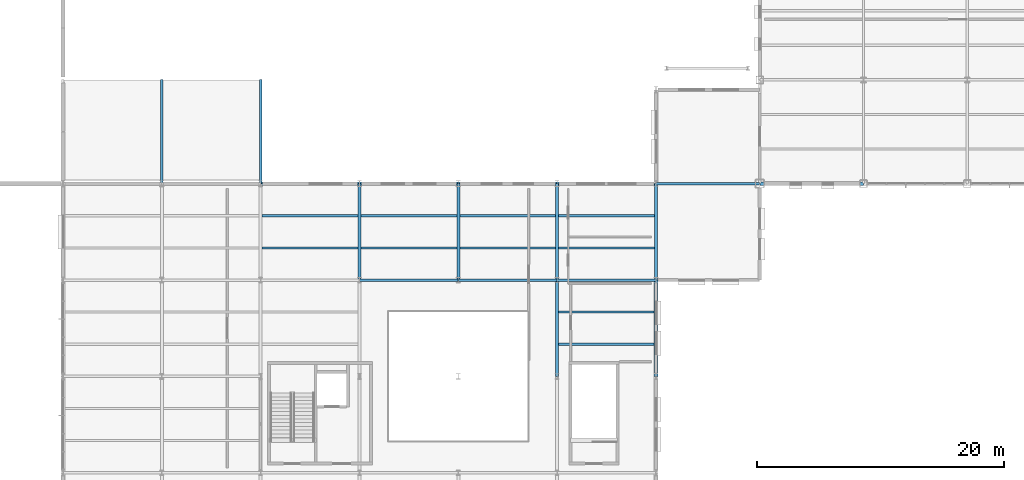
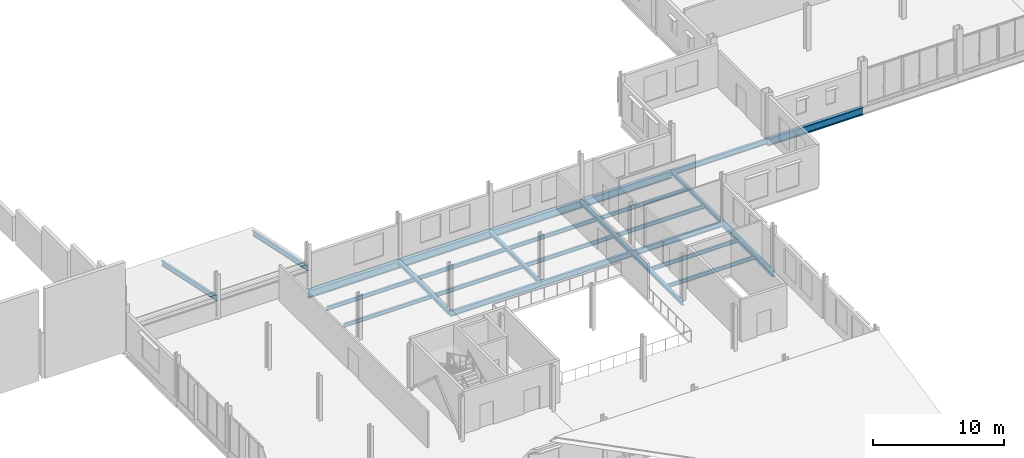
# One storey, part 15 of 45: 27 beams.
"""IFC4 building model written with IfcOpenShell, lengths in metres."""

from ifc_helpers import new_model, si_unit, direction, frame, origin, origin_2d, place, context, subcontext, project, spatial, i_section, extrude, material, material_profile, profile_set, type_object, element, save


model = new_model("IFC4")

# Units and contexts
model_context = context("Model", 3, precision=1e-05, world=origin(), true_north=direction((0.0, 1.0)))
body_context = subcontext(model_context, "Body", "Model", "MODEL_VIEW")
ifc_project = project(units=[si_unit("LENGTHUNIT", "METRE"), si_unit("AREAUNIT", "SQUARE_METRE"), si_unit("VOLUMEUNIT", "CUBIC_METRE"), si_unit("PLANEANGLEUNIT", "RADIAN"), si_unit("MASSUNIT", "GRAM", prefix="KILO")], contexts=[model_context])

# Site, building, storey
site_placement = place(None, origin())
site = spatial("IfcSite", under=ifc_project, at=site_placement, CompositionType="ELEMENT")
building_placement = place(site_placement, origin())
building = spatial("IfcBuilding", under=site, at=building_placement, Name="Yukiwa Park Conservatory and Herbarium", CompositionType="ELEMENT")
storey_placement = place(building_placement, frame((0.0, 0.0, 9.0)))
storey = spatial("IfcBuildingStorey", under=building, at=storey_placement, Name="L02", CompositionType="ELEMENT", Elevation=9.0)

# Beams
ifc_material_1 = material(Name="Steel Q355D", Category="steel")
ifc_material_profile_1 = material_profile(ifc_material_1, i_section(OverallWidth=0.25, OverallDepth=0.35009765625, WebThickness=0.009033203125, FlangeThickness=0.013916015625, FilletRadius=0.02001953125, at=origin_2d()), Name="HM 350x250x9x14")
ifc_profile_set_1 = profile_set([ifc_material_profile_1], Name="Steel Q355D")
beam_type_1 = type_object("IfcBeamType", Name="BM-GRD-HM350", PredefinedType="BEAM", material=ifc_profile_set_1)
for number, where, z_axis, x_axis, name in (
    (1, (84.0, 70.2060546875, -0.419921875), (0.0, 1.0, 0.0), (-1.0, 0.0, 0.0), "L02 grid girder Y-73"),
    (2, (92.0, 70.2060546875, -0.419921875), (0.0, 1.0, 0.0), (-1.0, 0.0, 0.0), "L02 grid girder Y-75"),
):
    element("IfcBeam", number, at=place(storey_placement, frame(where, z_axis=z_axis, x_axis=x_axis)), inside=storey, type_object=beam_type_1, Name=name, PredefinedType="BEAM", context=body_context, shape_type="SweptSolid", body=[
        extrude(i_section(OverallWidth=0.25, OverallDepth=0.35009765625, WebThickness=0.009033203125, FlangeThickness=0.013916015625, FilletRadius=0.02001953125, at=origin_2d()), origin(), (0.0, 0.0, 1.0), 7.787841796875),
    ])
beam_1_placement = place(storey_placement, frame((100.0, 62.406005859375, -0.419921875), z_axis=(0.0, 1.0, 0.0), x_axis=(-1.0, 0.0, 0.0)))
element("IfcBeam", 3, at=beam_1_placement, inside=storey, type_object=beam_type_1, Name="L02 grid girder Y-78", PredefinedType="BEAM", context=body_context, shape_type="SweptSolid", body=[
    extrude(i_section(OverallWidth=0.25, OverallDepth=0.35009765625, WebThickness=0.009033203125, FlangeThickness=0.013916015625, FilletRadius=0.02001953125, at=origin_2d()), origin(), (0.0, 0.0, 1.0), 7.7880859375),
])
for number, where, z_axis, x_axis, name in (
    (4, (100.0, 70.2060546875, -0.419921875), (0.0, 1.0, 0.0), (-1.0, 0.0, 0.0), "L02 grid girder Y-79"),
    (5, (108.0, 70.2060546875, -0.419921875), (0.0, 1.0, 0.0), (-1.0, 0.0, 0.0), "L02 grid girder Y-83"),
):
    element("IfcBeam", number, at=place(storey_placement, frame(where, z_axis=z_axis, x_axis=x_axis)), inside=storey, type_object=beam_type_1, Name=name, PredefinedType="BEAM", context=body_context, shape_type="SweptSolid", body=[
        extrude(i_section(OverallWidth=0.25, OverallDepth=0.35009765625, WebThickness=0.009033203125, FlangeThickness=0.013916015625, FilletRadius=0.02001953125, at=origin_2d()), origin(), (0.0, 0.0, 1.0), 7.787841796875),
    ])
ifc_material_2 = material(Name="Steel Q355D", Category="steel")
ifc_material_profile_2 = material_profile(ifc_material_2, i_section(OverallWidth=0.199951171875, OverallDepth=0.449951171875, WebThickness=0.009033203125, FlangeThickness=0.013916015625, FilletRadius=0.01806640625, at=origin_2d()), Name="HN 450x200x9x14")
ifc_profile_set_2 = profile_set([ifc_material_profile_2], Name="Steel Q355D")
beam_type_2 = type_object("IfcBeamType", Name="BM-GRD-HN450", PredefinedType="BEAM", material=ifc_profile_set_2)
beam_2_placement = place(storey_placement, frame((68.0, 78.006103515625, 1.8154296875), z_axis=(0.0, 0.978088541236, -0.20818935012), x_axis=(-1.0, 0.0, 0.0)))
element("IfcBeam", 6, at=beam_2_placement, inside=storey, type_object=beam_type_2, Name="Auditorium link sloped rafter 2", PredefinedType="BEAM", context=body_context, shape_type="SweptSolid", body=[
    extrude(i_section(OverallWidth=0.199951171875, OverallDepth=0.449951171875, WebThickness=0.009033203125, FlangeThickness=0.013916015625, FilletRadius=0.01806640625, at=origin_2d()), origin(), (0.0, 0.0, 1.0), 8.575927734375),
])
ifc_material_3 = material(Name="Steel Q355D", Category="steel")
ifc_material_profile_3 = material_profile(ifc_material_3, i_section(OverallWidth=0.199951171875, OverallDepth=0.449951171875, WebThickness=0.009033203125, FlangeThickness=0.013916015625, FilletRadius=0.01806640625, at=origin_2d()), Name="HN 450x200x9x14")
ifc_profile_set_3 = profile_set([ifc_material_profile_3], Name="Steel Q355D")
beam_type_3 = type_object("IfcBeamType", Name="BM-GRD-HN450-EXT", PredefinedType="BEAM", material=ifc_profile_set_3)
beam_3_placement = place(storey_placement, frame((76.0, 78.006103515625, 1.8154296875), z_axis=(0.0, 0.978088541236, -0.20818935012), x_axis=(-1.0, 0.0, 0.0)))
element("IfcBeam", 7, at=beam_3_placement, inside=storey, type_object=beam_type_3, Name="Auditorium link sloped rafter 3", PredefinedType="BEAM", context=body_context, shape_type="SweptSolid", body=[
    extrude(i_section(OverallWidth=0.199951171875, OverallDepth=0.449951171875, WebThickness=0.009033203125, FlangeThickness=0.013916015625, FilletRadius=0.01806640625, at=origin_2d()), origin(), (0.0, 0.0, 1.0), 8.575927734375),
])
ifc_material_4 = material(Name="Steel Q355D", Category="steel")
ifc_material_profile_4 = material_profile(ifc_material_4, i_section(OverallWidth=0.198974609375, OverallDepth=0.49609375, WebThickness=0.009033203125, FlangeThickness=0.013916015625, FilletRadius=0.02001953125, at=origin_2d()), Name="HN 496x199x9x14")
ifc_profile_set_4 = profile_set([ifc_material_profile_4], Name="Steel Q355D")
beam_type_4 = type_object("IfcBeamType", Name="BM-GRD-HN496", PredefinedType="BEAM", material=ifc_profile_set_4)
for number, where, z_axis, x_axis, name in (
    (8, (84.006103515625, 70.199951171875, -0.492919921875), (1.0, 0.0, 0.0), (0.0, 1.0, 0.0), "L02 grid beam X-18"),
    (9, (92.006103515625, 70.199951171875, -0.492919921875), (1.0, 0.0, 0.0), (0.0, 1.0, 0.0), "L02 grid beam X-19"),
    (10, (100.006103515625, 70.199951171875, -0.492919921875), (1.0, 0.0, 0.0), (0.0, 1.0, 0.0), "L02 grid beam X-20"),
):
    element("IfcBeam", number, at=place(storey_placement, frame(where, z_axis=z_axis, x_axis=x_axis)), inside=storey, type_object=beam_type_4, Name=name, PredefinedType="BEAM", context=body_context, shape_type="SweptSolid", body=[
        extrude(i_section(OverallWidth=0.198974609375, OverallDepth=0.49609375, WebThickness=0.009033203125, FlangeThickness=0.013916015625, FilletRadius=0.02001953125, at=origin_2d()), origin(), (0.0, 0.0, 1.0), 7.98779296875),
    ])
beam_4_placement = place(storey_placement, frame((108.006103515625, 78.0, -0.492919921875), z_axis=(1.0, 0.0, 0.0), x_axis=(0.0, 1.0, 0.0)))
element("IfcBeam", 11, at=beam_4_placement, inside=storey, type_object=beam_type_4, Name="L02 grid beam X-27", PredefinedType="BEAM", context=body_context, shape_type="SweptSolid", body=[
    extrude(i_section(OverallWidth=0.198974609375, OverallDepth=0.49609375, WebThickness=0.009033203125, FlangeThickness=0.013916015625, FilletRadius=0.02001953125, at=origin_2d()), origin(), (0.0, 0.0, 1.0), 8.387939453125),
])
ifc_material_5 = material(Name="Steel Q355D", Category="steel")
ifc_material_profile_5 = material_profile(ifc_material_5, i_section(OverallWidth=0.174072265625, OverallDepth=0.345947265625, WebThickness=0.006103515625, FlangeThickness=0.009033203125, FilletRadius=0.013916015625, at=origin_2d()), Name="HN 346x174x6x9")
ifc_profile_set_5 = profile_set([ifc_material_profile_5], Name="Steel Q355D")
beam_type_5 = type_object("IfcBeamType", Name="BM-JST-HN346", PredefinedType="JOIST", material=ifc_profile_set_5)
for number, where, z_axis, x_axis, name in (
    (12, (76.12109375, 72.800048828125, -0.41796875), (1.0, 0.0, 0.0), (0.0, 1.0, 0.0), "L02 composite floor joist 21"),
    (13, (76.12109375, 75.39990234375, -0.41796875), (1.0, 0.0, 0.0), (0.0, 1.0, 0.0), "L02 composite floor joist 22"),
    (14, (84.12109375, 72.800048828125, -0.41796875), (1.0, 0.0, 0.0), (0.0, 1.0, 0.0), "L02 composite floor joist 25"),
    (15, (84.12109375, 75.39990234375, -0.41796875), (1.0, 0.0, 0.0), (0.0, 1.0, 0.0), "L02 composite floor joist 26"),
    (16, (92.12109375, 72.800048828125, -0.41796875), (1.0, 0.0, 0.0), (0.0, 1.0, 0.0), "L02 composite floor joist 29"),
    (17, (92.12109375, 75.39990234375, -0.41796875), (1.0, 0.0, 0.0), (0.0, 1.0, 0.0), "L02 composite floor joist 30"),
):
    element("IfcBeam", number, at=place(storey_placement, frame(where, z_axis=z_axis, x_axis=x_axis)), inside=storey, type_object=beam_type_5, Name=name, PredefinedType="JOIST", context=body_context, shape_type="SweptSolid", body=[
        extrude(i_section(OverallWidth=0.174072265625, OverallDepth=0.345947265625, WebThickness=0.006103515625, FlangeThickness=0.009033203125, FilletRadius=0.013916015625, at=origin_2d()), origin(), (0.0, 0.0, 1.0), 7.7578125),
    ])
for number, where, z_axis, x_axis, name in (
    (18, (100.12109375, 65.0, -0.41796875), (1.0, 0.0, 0.0), (0.0, 1.0, 0.0), "L02 composite floor joist 33"),
    (19, (100.12109375, 67.60009765625, -0.41796875), (1.0, 0.0, 0.0), (0.0, 1.0, 0.0), "L02 composite floor joist 34"),
):
    element("IfcBeam", number, at=place(storey_placement, frame(where, z_axis=z_axis, x_axis=x_axis)), inside=storey, type_object=beam_type_5, Name=name, PredefinedType="JOIST", context=body_context, shape_type="SweptSolid", body=[
        extrude(i_section(OverallWidth=0.174072265625, OverallDepth=0.345947265625, WebThickness=0.006103515625, FlangeThickness=0.009033203125, FilletRadius=0.013916015625, at=origin_2d()), origin(), (0.0, 0.0, 1.0), 7.73291015625),
    ])
for number, where, z_axis, x_axis, name in (
    (20, (100.12109375, 72.800048828125, -0.41796875), (1.0, 0.0, 0.0), (0.0, 1.0, 0.0), "L02 composite floor joist 35"),
    (21, (100.12109375, 75.39990234375, -0.41796875), (1.0, 0.0, 0.0), (0.0, 1.0, 0.0), "L02 composite floor joist 36"),
):
    element("IfcBeam", number, at=place(storey_placement, frame(where, z_axis=z_axis, x_axis=x_axis)), inside=storey, type_object=beam_type_5, Name=name, PredefinedType="JOIST", context=body_context, shape_type="SweptSolid", body=[
        extrude(i_section(OverallWidth=0.174072265625, OverallDepth=0.345947265625, WebThickness=0.006103515625, FlangeThickness=0.009033203125, FilletRadius=0.013916015625, at=origin_2d()), origin(), (0.0, 0.0, 1.0), 7.7578125),
    ])
ifc_material_6 = material(Name="Steel Q355D", Category="steel")
ifc_material_profile_6 = material_profile(ifc_material_6, i_section(OverallWidth=0.300048828125, OverallDepth=0.493896484375, WebThickness=0.010986328125, FlangeThickness=0.014892578125, FilletRadius=0.02392578125, at=origin_2d()), Name="HM 494x300x11x15")
ifc_profile_set_6 = profile_set([ifc_material_profile_6], Name="Steel Q355D")
beam_type_6 = type_object("IfcBeamType", Name="BM-SPN-HN450", PredefinedType="SPANDREL", material=ifc_profile_set_6)
beam_5_placement = place(storey_placement, frame((108.0, 62.406005859375, -0.491943359375), z_axis=(0.0, 1.0, 0.0), x_axis=(-1.0, 0.0, 0.0)))
element("IfcBeam", 22, at=beam_5_placement, inside=storey, type_object=beam_type_6, Name="L02 spandrel girder Y-82", PredefinedType="SPANDREL", context=body_context, shape_type="SweptSolid", body=[
    extrude(i_section(OverallWidth=0.300048828125, OverallDepth=0.493896484375, WebThickness=0.010986328125, FlangeThickness=0.014892578125, FilletRadius=0.02392578125, at=origin_2d()), origin(), (0.0, 0.0, 1.0), 7.7880859375),
])
ifc_material_7 = material(Name="Steel Q355D", Category="steel")
ifc_material_profile_7 = material_profile(ifc_material_7, i_section(OverallWidth=0.300048828125, OverallDepth=0.69189453125, WebThickness=0.012939453125, FlangeThickness=0.02001953125, FilletRadius=0.028076171875, at=origin_2d()), Name="HN 692x300x13x20")
ifc_profile_set_7 = profile_set([ifc_material_profile_7], Name="Steel Q355D")
beam_type_7 = type_object("IfcBeamType", Name="BM-SPN-HN550", PredefinedType="SPANDREL", material=ifc_profile_set_7)
for number, where, z_axis, x_axis, name in (
    (23, (76.006103515625, 78.0, -0.591064453125), (1.0, 0.0, 0.0), (0.0, 1.0, 0.0), "L02 spandrel beam X-23"),
    (24, (84.006103515625, 78.0, -0.591064453125), (1.0, 0.0, 0.0), (0.0, 1.0, 0.0), "L02 spandrel beam X-24"),
    (25, (92.006103515625, 78.0, -0.591064453125), (1.0, 0.0, 0.0), (0.0, 1.0, 0.0), "L02 spandrel beam X-25"),
    (26, (100.006103515625, 78.0, -0.591064453125), (1.0, 0.0, 0.0), (0.0, 1.0, 0.0), "L02 spandrel beam X-26"),
):
    element("IfcBeam", number, at=place(storey_placement, frame(where, z_axis=z_axis, x_axis=x_axis)), inside=storey, type_object=beam_type_7, Name=name, PredefinedType="SPANDREL", context=body_context, shape_type="SweptSolid", body=[
        extrude(i_section(OverallWidth=0.300048828125, OverallDepth=0.69189453125, WebThickness=0.012939453125, FlangeThickness=0.02001953125, FilletRadius=0.028076171875, at=origin_2d()), origin(), (0.0, 0.0, 1.0), 7.98779296875),
    ])
beam_6_placement = place(storey_placement, frame((116.406005859375, 78.0, -0.591064453125), z_axis=(1.0, 0.0, 0.0), x_axis=(0.0, 1.0, 0.0)))
element("IfcBeam", 27, at=beam_6_placement, inside=storey, type_object=beam_type_7, Name="L02 spandrel beam X-28", PredefinedType="SPANDREL", context=body_context, shape_type="SweptSolid", body=[
    extrude(i_section(OverallWidth=0.300048828125, OverallDepth=0.69189453125, WebThickness=0.012939453125, FlangeThickness=0.02001953125, FilletRadius=0.028076171875, at=origin_2d()), origin(), (0.0, 0.0, 1.0), 8.387939453125),
])

save(model, "model.ifc")
